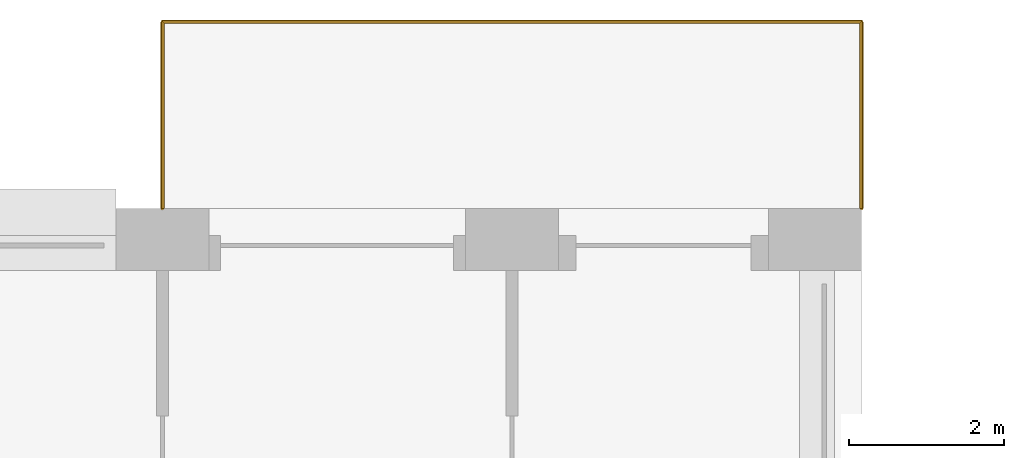
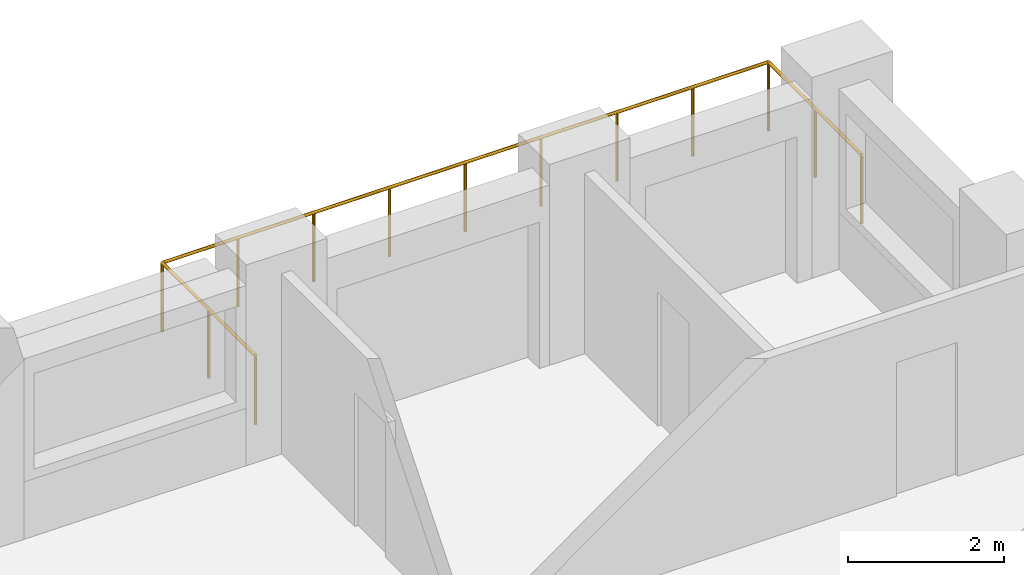
# One storey, part 19 of 19: 1 railing.
"""IFC4 building model written with IfcOpenShell, lengths in metres."""

from ifc_helpers import new_model, si_unit, direction, frame, origin, origin_2d, place, context, subcontext, project, spatial, circle, extrude, material, type_object, element, save


model = new_model("IFC4")

# Units and contexts
model_context = context("Model", 3, precision=1e-05, world=origin(), true_north=direction((0.0, 1.0)))
body_context = subcontext(model_context, "Body", "Model", "MODEL_VIEW")
ifc_project = project(units=[si_unit("LENGTHUNIT", "METRE"), si_unit("AREAUNIT", "SQUARE_METRE"), si_unit("VOLUMEUNIT", "CUBIC_METRE"), si_unit("PLANEANGLEUNIT", "RADIAN"), si_unit("MASSUNIT", "GRAM", prefix="KILO")], contexts=[model_context])

# Site, building, storey
site_placement = place(None, origin())
site = spatial("IfcSite", under=ifc_project, at=site_placement, CompositionType="ELEMENT")
building_placement = place(site_placement, origin())
building = spatial("IfcBuilding", under=site, at=building_placement, Name="Brigalow Station Residences", CompositionType="ELEMENT")
storey_placement = place(building_placement, frame((0.0, 0.0, 35.25)))
storey = spatial("IfcBuildingStorey", under=building, at=storey_placement, Name="L09", CompositionType="ELEMENT", Elevation=35.25)

# Railing
ifc_material = material(Name="Stainless steel balustrade with laminated glass infill", Category="steel")
railing_type = type_object("IfcRailingType", Name="BALCONY GUARD 1100", PredefinedType="GUARDRAIL", material=ifc_material)
railing_placement = place(storey_placement, frame((72.0, 48.5, -0.0400390625)))
element("IfcRailing", 1, at=railing_placement, inside=storey, type_object=railing_type, Name="L09/balcony-guard/2", PredefinedType="GUARDRAIL", context=body_context, shape_type="SweptSolid", body=[
    extrude(circle(Radius=0.02392578125, at=origin_2d()), frame((0.0, 0.0, 1.076171875), z_axis=(0.0, 1.0, 0.0), x_axis=(-1.0, 0.0, 0.0)), (0.0, 0.0, 1.0), 2.39990234375),
    extrude(circle(Radius=0.02392578125, at=origin_2d()), frame((0.0, 2.39990234375, 1.076171875), z_axis=(-1.0, 0.0, 0.0), x_axis=(0.0, -1.0, 0.0)), (0.0, 0.0, 1.0), 9.0),
    extrude(circle(Radius=0.02392578125, at=origin_2d()), frame((-9.0, 2.39990234375, 1.076171875), z_axis=(0.0, -1.0, 0.0), x_axis=(1.0, 0.0, 0.0)), (0.0, 0.0, 1.0), 2.39990234375),
    extrude(circle(Radius=0.02099609375, at=origin_2d()), origin(), (0.0, 0.0, 1.0), 1.052001953125),
    extrude(circle(Radius=0.02099609375, at=origin_2d()), frame((0.0, 1.199951171875, 0.0)), (0.0, 0.0, 1.0), 1.052001953125),
    extrude(circle(Radius=0.02099609375, at=origin_2d()), frame((0.0, 2.39990234375, 0.0)), (0.0, 0.0, 1.0), 1.052001953125),
    extrude(circle(Radius=0.02099609375, at=origin_2d()), frame((-1.125, 2.39990234375, 0.0)), (0.0, 0.0, 1.0), 1.052001953125),
    extrude(circle(Radius=0.02099609375, at=origin_2d()), frame((-2.25, 2.39990234375, 0.0)), (0.0, 0.0, 1.0), 1.052001953125),
    extrude(circle(Radius=0.02099609375, at=origin_2d()), frame((-3.375, 2.39990234375, 0.0)), (0.0, 0.0, 1.0), 1.052001953125),
    extrude(circle(Radius=0.02099609375, at=origin_2d()), frame((-4.5, 2.39990234375, 0.0)), (0.0, 0.0, 1.0), 1.052001953125),
    extrude(circle(Radius=0.02099609375, at=origin_2d()), frame((-5.625, 2.39990234375, 0.0)), (0.0, 0.0, 1.0), 1.052001953125),
    extrude(circle(Radius=0.02099609375, at=origin_2d()), frame((-6.75, 2.39990234375, 0.0)), (0.0, 0.0, 1.0), 1.052001953125),
    extrude(circle(Radius=0.02099609375, at=origin_2d()), frame((-7.875, 2.39990234375, 0.0)), (0.0, 0.0, 1.0), 1.052001953125),
    extrude(circle(Radius=0.02099609375, at=origin_2d()), frame((-9.0, 2.39990234375, 0.0)), (0.0, 0.0, 1.0), 1.052001953125),
    extrude(circle(Radius=0.02099609375, at=origin_2d()), frame((-9.0, 1.199951171875, 0.0)), (0.0, 0.0, 1.0), 1.052001953125),
    extrude(circle(Radius=0.02099609375, at=origin_2d()), frame((-9.0, 0.0, 0.0)), (0.0, 0.0, 1.0), 1.052001953125),
])

save(model, "model.ifc")
